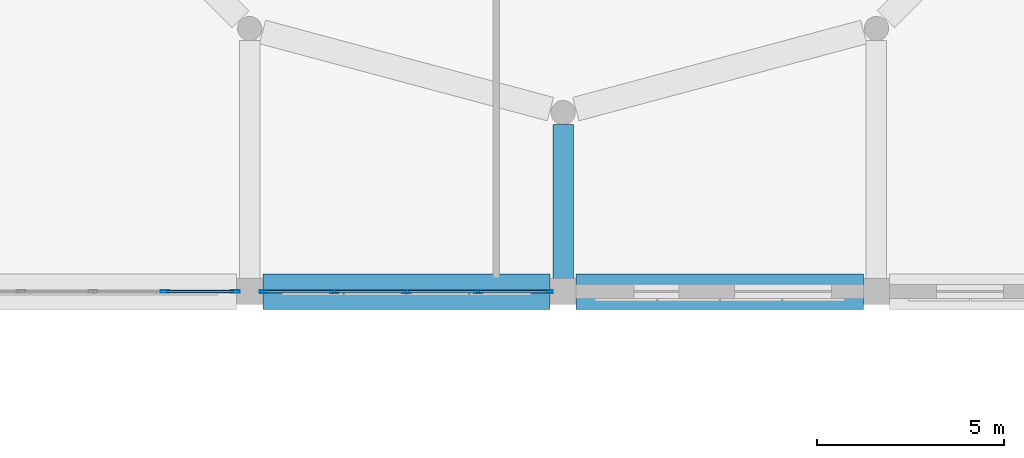
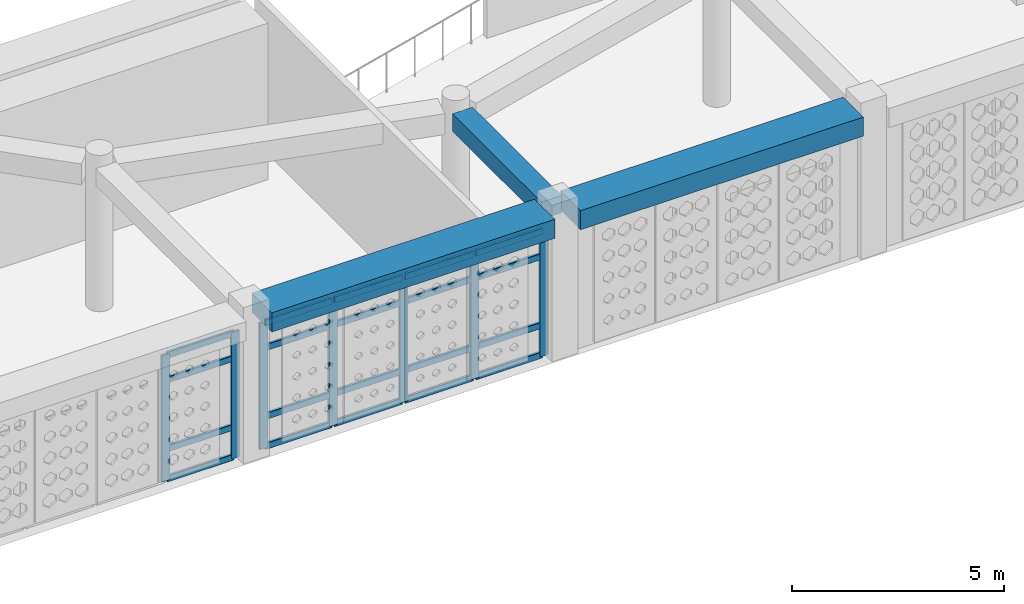
# One storey, part 15 of 79: 27 members, 3 beams, 2 elements without a shape of their own.
"""IFC4 building model written with IfcOpenShell, lengths in metres."""

from ifc_helpers import new_model, si_unit, derived_unit, direction, frame, origin, origin_2d, place, context, subcontext, project, spatial, rectangle, hollow_rectangle, extrude, material, material_profile, profile_set, type_object, element, aggregate, save


model = new_model("IFC4")

# Units and contexts
model_context = context("Model", 3, precision=1e-05, world=origin(), true_north=direction((0.0, 1.0)))
body_context = subcontext(model_context, "Body", "Model", "MODEL_VIEW")
ifc_project = project(units=[si_unit("LENGTHUNIT", "METRE"), si_unit("AREAUNIT", "SQUARE_METRE"), si_unit("VOLUMEUNIT", "CUBIC_METRE"), si_unit("PLANEANGLEUNIT", "RADIAN"), si_unit("MASSUNIT", "GRAM", prefix="KILO"), derived_unit("THERMALTRANSMITTANCEUNIT", [(si_unit("POWERUNIT", "WATT"), 1), (si_unit("LENGTHUNIT", "METRE"), -2), (si_unit("THERMODYNAMICTEMPERATUREUNIT", "KELVIN"), -1)])], contexts=[model_context])

# Site, building, storey
site_placement = place(None, origin())
site = spatial("IfcSite", under=ifc_project, at=site_placement, CompositionType="ELEMENT")
building_placement = place(site_placement, origin())
building = spatial("IfcBuilding", under=site, at=building_placement, Name="Veybourne Emporium", CompositionType="ELEMENT")
storey_placement = place(building_placement, frame((0.0, 0.0, 18.89990234375)))
storey = spatial("IfcBuildingStorey", under=building, at=storey_placement, Name="L04", CompositionType="ELEMENT", Elevation=18.89990234375)

# Curtain wall, members
ifc_material_1 = material(Name="Patinated Architectural Bronze", Category="bronze")
curtain_wall_type_1 = type_object("IfcCurtainWallType", Name="CWSystem_CWS-02", PredefinedType="NOTDEFINED", material=ifc_material_1)
curtain_wall_1_placement = place(storey_placement, origin())
curtain_wall_1 = element("IfcCurtainWall", 1, at=curtain_wall_1_placement, inside=storey, type_object=curtain_wall_type_1, Name="L04 bronze glazed curtain wall CWS-02 (033)", PredefinedType="NOTDEFINED")
ifc_material_profile_1 = material_profile(ifc_material_1, hollow_rectangle(XDim=0.074951171875, YDim=0.22998046875, WallThickness=0.0048828125, InnerFilletRadius=0.007568359375, OuterFilletRadius=0.012451171875, at=origin_2d()), Name="CWM 75x230x5")
ifc_profile_set_1 = profile_set([ifc_material_profile_1], Name="Patinated Architectural Bronze")
member_type_1 = type_object("IfcMemberType", Name="CWMullion_CW-M2", PredefinedType="MULLION", material=ifc_profile_set_1)
member_1_placement = place(storey_placement, frame((66.8125, 28.800048828125, 0.0), z_axis=(0.0, 0.0, 1.0), x_axis=(0.0, -1.0, 0.0)))
member_1 = element("IfcMember", 2, at=member_1_placement, type_object=member_type_1, Name="CWS-02 mullion 1", PredefinedType="MULLION", context=body_context, shape_type="SweptSolid", body=[
    extrude(hollow_rectangle(XDim=0.074951171875, YDim=0.22998046875, WallThickness=0.0048828125, InnerFilletRadius=0.007568359375, OuterFilletRadius=0.012451171875, at=origin_2d()), origin(), (0.0, 0.0, 1.0), 3.630126953125),
])
member_2_placement = place(storey_placement, frame((64.925048828125, 28.800048828125, 0.0), z_axis=(0.0, 0.0, 1.0), x_axis=(0.0, -1.0, 0.0)))
member_2 = element("IfcMember", 3, at=member_2_placement, type_object=member_type_1, Name="CWS-02 mullion 2", PredefinedType="MULLION", context=body_context, shape_type="SweptSolid", body=[
    extrude(hollow_rectangle(XDim=0.074951171875, YDim=0.22998046875, WallThickness=0.0048828125, InnerFilletRadius=0.007568359375, OuterFilletRadius=0.012451171875, at=origin_2d()), origin(), (0.0, 0.0, 1.0), 3.630126953125),
])

curtain_wall_type_2 = type_object("IfcCurtainWallType", Name="CWSystem_CWS-03", PredefinedType="NOTDEFINED", material=ifc_material_1)
curtain_wall_2_placement = place(storey_placement, origin())
curtain_wall_2 = element("IfcCurtainWall", 4, at=curtain_wall_2_placement, inside=storey, type_object=curtain_wall_type_2, Name="L04 bronze glazed curtain wall CWS-03 (036)", PredefinedType="NOTDEFINED")
ifc_material_profile_2 = material_profile(ifc_material_1, hollow_rectangle(XDim=0.077880859375, YDim=0.235107421875, WallThickness=0.0048828125, InnerFilletRadius=0.007568359375, OuterFilletRadius=0.012451171875, at=origin_2d()), Name="CWM 78x235x5")
ifc_profile_set_2 = profile_set([ifc_material_profile_2], Name="Patinated Architectural Bronze")
member_type_2 = type_object("IfcMemberType", Name="CWMullion_CW-M3", PredefinedType="MULLION", material=ifc_profile_set_2)
member_3_placement = place(storey_placement, frame((75.2109375, 28.800048828125, 0.0), z_axis=(0.0, 0.0, 1.0), x_axis=(0.0, -1.0, 0.0)))
member_3 = element("IfcMember", 5, at=member_3_placement, type_object=member_type_2, Name="CWS-03 mullion 1", PredefinedType="MULLION", context=body_context, shape_type="SweptSolid", body=[
    extrude(hollow_rectangle(XDim=0.077880859375, YDim=0.235107421875, WallThickness=0.0048828125, InnerFilletRadius=0.007568359375, OuterFilletRadius=0.012451171875, at=origin_2d()), origin(), (0.0, 0.0, 1.0), 3.630126953125),
])
member_4_placement = place(storey_placement, frame((73.324951171875, 28.800048828125, 0.0), z_axis=(0.0, 0.0, 1.0), x_axis=(0.0, -1.0, 0.0)))
member_4 = element("IfcMember", 6, at=member_4_placement, type_object=member_type_2, Name="CWS-03 mullion 2", PredefinedType="MULLION", context=body_context, shape_type="SweptSolid", body=[
    extrude(hollow_rectangle(XDim=0.077880859375, YDim=0.235107421875, WallThickness=0.0048828125, InnerFilletRadius=0.007568359375, OuterFilletRadius=0.012451171875, at=origin_2d()), origin(), (0.0, 0.0, 1.0), 3.630126953125),
])
member_5_placement = place(storey_placement, frame((71.39990234375, 28.800048828125, 0.0), z_axis=(0.0, 0.0, 1.0), x_axis=(0.0, -1.0, 0.0)))
member_5 = element("IfcMember", 7, at=member_5_placement, type_object=member_type_2, Name="CWS-03 mullion 3", PredefinedType="MULLION", context=body_context, shape_type="SweptSolid", body=[
    extrude(hollow_rectangle(XDim=0.077880859375, YDim=0.235107421875, WallThickness=0.0048828125, InnerFilletRadius=0.007568359375, OuterFilletRadius=0.012451171875, at=origin_2d()), origin(), (0.0, 0.0, 1.0), 3.630126953125),
])
member_6_placement = place(storey_placement, frame((69.47509765625, 28.800048828125, 0.0), z_axis=(0.0, 0.0, 1.0), x_axis=(0.0, -1.0, 0.0)))
member_6 = element("IfcMember", 8, at=member_6_placement, type_object=member_type_2, Name="CWS-03 mullion 4", PredefinedType="MULLION", context=body_context, shape_type="SweptSolid", body=[
    extrude(hollow_rectangle(XDim=0.077880859375, YDim=0.235107421875, WallThickness=0.0048828125, InnerFilletRadius=0.007568359375, OuterFilletRadius=0.012451171875, at=origin_2d()), origin(), (0.0, 0.0, 1.0), 3.630126953125),
])
member_7_placement = place(storey_placement, frame((67.589111328125, 28.800048828125, 0.0), z_axis=(0.0, 0.0, 1.0), x_axis=(0.0, -1.0, 0.0)))
member_7 = element("IfcMember", 9, at=member_7_placement, type_object=member_type_2, Name="CWS-03 mullion 5", PredefinedType="MULLION", context=body_context, shape_type="SweptSolid", body=[
    extrude(hollow_rectangle(XDim=0.077880859375, YDim=0.235107421875, WallThickness=0.0048828125, InnerFilletRadius=0.007568359375, OuterFilletRadius=0.012451171875, at=origin_2d()), origin(), (0.0, 0.0, 1.0), 3.630126953125),
])

# Member
ifc_material_profile_3 = material_profile(ifc_material_1, hollow_rectangle(XDim=0.074951171875, YDim=0.179931640625, WallThickness=0.0048828125, InnerFilletRadius=0.007568359375, OuterFilletRadius=0.012451171875, at=origin_2d()), Name="CWT 75x180x5")
ifc_profile_set_3 = profile_set([ifc_material_profile_3], Name="Patinated Architectural Bronze")
member_type_3 = type_object("IfcMemberType", Name="CWTransom_CW-T2", PredefinedType="NOTDEFINED", material=ifc_profile_set_3)
member_8_placement = place(storey_placement, frame((66.77490234375, 28.800048828125, 0.03759765625), z_axis=(-1.0, 0.0, 0.0), x_axis=(0.0, -1.0, 0.0)))
member_8 = element("IfcMember", 10, at=member_8_placement, type_object=member_type_3, Name="CWS-02 transom 1.1", ObjectType="TRANSOM", PredefinedType="USERDEFINED", context=body_context, shape_type="SweptSolid", body=[
    extrude(hollow_rectangle(XDim=0.074951171875, YDim=0.179931640625, WallThickness=0.0048828125, InnerFilletRadius=0.007568359375, OuterFilletRadius=0.012451171875, at=origin_2d()), origin(), (0.0, 0.0, 1.0), 1.8125),
])

member_9_placement = place(storey_placement, frame((66.77490234375, 28.800048828125, 0.900146484375), z_axis=(-1.0, 0.0, 0.0), x_axis=(0.0, -1.0, 0.0)))
member_9 = element("IfcMember", 11, at=member_9_placement, type_object=member_type_3, Name="CWS-02 transom 1.2", ObjectType="TRANSOM", PredefinedType="USERDEFINED", context=body_context, shape_type="SweptSolid", body=[
    extrude(hollow_rectangle(XDim=0.074951171875, YDim=0.179931640625, WallThickness=0.0048828125, InnerFilletRadius=0.007568359375, OuterFilletRadius=0.012451171875, at=origin_2d()), origin(), (0.0, 0.0, 1.0), 1.8125),
])

member_10_placement = place(storey_placement, frame((66.77490234375, 28.800048828125, 2.880126953125), z_axis=(-1.0, 0.0, 0.0), x_axis=(0.0, -1.0, 0.0)))
member_10 = element("IfcMember", 12, at=member_10_placement, type_object=member_type_3, Name="CWS-02 transom 1.3", ObjectType="TRANSOM", PredefinedType="USERDEFINED", context=body_context, shape_type="SweptSolid", body=[
    extrude(hollow_rectangle(XDim=0.074951171875, YDim=0.179931640625, WallThickness=0.0048828125, InnerFilletRadius=0.007568359375, OuterFilletRadius=0.012451171875, at=origin_2d()), origin(), (0.0, 0.0, 1.0), 1.8125),
])

member_11_placement = place(storey_placement, frame((66.77490234375, 28.800048828125, 3.592529296875), z_axis=(-1.0, 0.0, 0.0), x_axis=(0.0, -1.0, 0.0)))
member_11 = element("IfcMember", 13, at=member_11_placement, type_object=member_type_3, Name="CWS-02 transom 1.4", ObjectType="TRANSOM", PredefinedType="USERDEFINED", context=body_context, shape_type="SweptSolid", body=[
    extrude(hollow_rectangle(XDim=0.074951171875, YDim=0.179931640625, WallThickness=0.0048828125, InnerFilletRadius=0.007568359375, OuterFilletRadius=0.012451171875, at=origin_2d()), origin(), (0.0, 0.0, 1.0), 1.8125),
])

aggregate(curtain_wall_1, [member_1, member_2, member_8, member_9, member_10, member_11])

ifc_material_profile_4 = material_profile(ifc_material_1, hollow_rectangle(XDim=0.077880859375, YDim=0.18505859375, WallThickness=0.0048828125, InnerFilletRadius=0.007568359375, OuterFilletRadius=0.012451171875, at=origin_2d()), Name="CWT 78x185x5")
ifc_profile_set_4 = profile_set([ifc_material_profile_4], Name="Patinated Architectural Bronze")
member_type_4 = type_object("IfcMemberType", Name="CWTransom_CW-T3", PredefinedType="NOTDEFINED", material=ifc_profile_set_4)
member_12_placement = place(storey_placement, frame((75.172119140625, 28.800048828125, 0.0390625), z_axis=(-1.0, 0.0, 0.0), x_axis=(0.0, -1.0, 0.0)))
member_12 = element("IfcMember", 14, at=member_12_placement, type_object=member_type_4, Name="CWS-03 transom 1.1", ObjectType="TRANSOM", PredefinedType="USERDEFINED", context=body_context, shape_type="SweptSolid", body=[
    extrude(hollow_rectangle(XDim=0.077880859375, YDim=0.18505859375, WallThickness=0.0048828125, InnerFilletRadius=0.007568359375, OuterFilletRadius=0.012451171875, at=origin_2d()), origin(), (0.0, 0.0, 1.0), 1.80810546875),
])

member_13_placement = place(storey_placement, frame((75.172119140625, 28.800048828125, 0.900146484375), z_axis=(-1.0, 0.0, 0.0), x_axis=(0.0, -1.0, 0.0)))
member_13 = element("IfcMember", 15, at=member_13_placement, type_object=member_type_4, Name="CWS-03 transom 1.2", ObjectType="TRANSOM", PredefinedType="USERDEFINED", context=body_context, shape_type="SweptSolid", body=[
    extrude(hollow_rectangle(XDim=0.077880859375, YDim=0.18505859375, WallThickness=0.0048828125, InnerFilletRadius=0.007568359375, OuterFilletRadius=0.012451171875, at=origin_2d()), origin(), (0.0, 0.0, 1.0), 1.80810546875),
])

member_14_placement = place(storey_placement, frame((75.172119140625, 28.800048828125, 2.880126953125), z_axis=(-1.0, 0.0, 0.0), x_axis=(0.0, -1.0, 0.0)))
member_14 = element("IfcMember", 16, at=member_14_placement, type_object=member_type_4, Name="CWS-03 transom 1.3", ObjectType="TRANSOM", PredefinedType="USERDEFINED", context=body_context, shape_type="SweptSolid", body=[
    extrude(hollow_rectangle(XDim=0.077880859375, YDim=0.18505859375, WallThickness=0.0048828125, InnerFilletRadius=0.007568359375, OuterFilletRadius=0.012451171875, at=origin_2d()), origin(), (0.0, 0.0, 1.0), 1.80810546875),
])

member_15_placement = place(storey_placement, frame((75.172119140625, 28.800048828125, 3.591064453125), z_axis=(-1.0, 0.0, 0.0), x_axis=(0.0, -1.0, 0.0)))
member_15 = element("IfcMember", 17, at=member_15_placement, type_object=member_type_4, Name="CWS-03 transom 1.4", ObjectType="TRANSOM", PredefinedType="USERDEFINED", context=body_context, shape_type="SweptSolid", body=[
    extrude(hollow_rectangle(XDim=0.077880859375, YDim=0.18505859375, WallThickness=0.0048828125, InnerFilletRadius=0.007568359375, OuterFilletRadius=0.012451171875, at=origin_2d()), origin(), (0.0, 0.0, 1.0), 1.80810546875),
])

member_16_placement = place(storey_placement, frame((73.285888671875, 28.800048828125, 0.0390625), z_axis=(-1.0, 0.0, 0.0), x_axis=(0.0, -1.0, 0.0)))
member_16 = element("IfcMember", 18, at=member_16_placement, type_object=member_type_4, Name="CWS-03 transom 2.1", ObjectType="TRANSOM", PredefinedType="USERDEFINED", context=body_context, shape_type="SweptSolid", body=[
    extrude(hollow_rectangle(XDim=0.077880859375, YDim=0.18505859375, WallThickness=0.0048828125, InnerFilletRadius=0.007568359375, OuterFilletRadius=0.012451171875, at=origin_2d()), origin(), (0.0, 0.0, 1.0), 1.846923828125),
])

member_17_placement = place(storey_placement, frame((73.285888671875, 28.800048828125, 0.900146484375), z_axis=(-1.0, 0.0, 0.0), x_axis=(0.0, -1.0, 0.0)))
member_17 = element("IfcMember", 19, at=member_17_placement, type_object=member_type_4, Name="CWS-03 transom 2.2", ObjectType="TRANSOM", PredefinedType="USERDEFINED", context=body_context, shape_type="SweptSolid", body=[
    extrude(hollow_rectangle(XDim=0.077880859375, YDim=0.18505859375, WallThickness=0.0048828125, InnerFilletRadius=0.007568359375, OuterFilletRadius=0.012451171875, at=origin_2d()), origin(), (0.0, 0.0, 1.0), 1.846923828125),
])

member_18_placement = place(storey_placement, frame((73.285888671875, 28.800048828125, 2.880126953125), z_axis=(-1.0, 0.0, 0.0), x_axis=(0.0, -1.0, 0.0)))
member_18 = element("IfcMember", 20, at=member_18_placement, type_object=member_type_4, Name="CWS-03 transom 2.3", ObjectType="TRANSOM", PredefinedType="USERDEFINED", context=body_context, shape_type="SweptSolid", body=[
    extrude(hollow_rectangle(XDim=0.077880859375, YDim=0.18505859375, WallThickness=0.0048828125, InnerFilletRadius=0.007568359375, OuterFilletRadius=0.012451171875, at=origin_2d()), origin(), (0.0, 0.0, 1.0), 1.846923828125),
])

member_19_placement = place(storey_placement, frame((73.285888671875, 28.800048828125, 3.591064453125), z_axis=(-1.0, 0.0, 0.0), x_axis=(0.0, -1.0, 0.0)))
member_19 = element("IfcMember", 21, at=member_19_placement, type_object=member_type_4, Name="CWS-03 transom 2.4", ObjectType="TRANSOM", PredefinedType="USERDEFINED", context=body_context, shape_type="SweptSolid", body=[
    extrude(hollow_rectangle(XDim=0.077880859375, YDim=0.18505859375, WallThickness=0.0048828125, InnerFilletRadius=0.007568359375, OuterFilletRadius=0.012451171875, at=origin_2d()), origin(), (0.0, 0.0, 1.0), 1.846923828125),
])

member_20_placement = place(storey_placement, frame((71.361083984375, 28.800048828125, 0.0390625), z_axis=(-1.0, 0.0, 0.0), x_axis=(0.0, -1.0, 0.0)))
member_20 = element("IfcMember", 22, at=member_20_placement, type_object=member_type_4, Name="CWS-03 transom 3.1", ObjectType="TRANSOM", PredefinedType="USERDEFINED", context=body_context, shape_type="SweptSolid", body=[
    extrude(hollow_rectangle(XDim=0.077880859375, YDim=0.18505859375, WallThickness=0.0048828125, InnerFilletRadius=0.007568359375, OuterFilletRadius=0.012451171875, at=origin_2d()), origin(), (0.0, 0.0, 1.0), 1.84716796875),
])

member_21_placement = place(storey_placement, frame((71.361083984375, 28.800048828125, 0.900146484375), z_axis=(-1.0, 0.0, 0.0), x_axis=(0.0, -1.0, 0.0)))
member_21 = element("IfcMember", 23, at=member_21_placement, type_object=member_type_4, Name="CWS-03 transom 3.2", ObjectType="TRANSOM", PredefinedType="USERDEFINED", context=body_context, shape_type="SweptSolid", body=[
    extrude(hollow_rectangle(XDim=0.077880859375, YDim=0.18505859375, WallThickness=0.0048828125, InnerFilletRadius=0.007568359375, OuterFilletRadius=0.012451171875, at=origin_2d()), origin(), (0.0, 0.0, 1.0), 1.84716796875),
])

member_22_placement = place(storey_placement, frame((71.361083984375, 28.800048828125, 2.880126953125), z_axis=(-1.0, 0.0, 0.0), x_axis=(0.0, -1.0, 0.0)))
member_22 = element("IfcMember", 24, at=member_22_placement, type_object=member_type_4, Name="CWS-03 transom 3.3", ObjectType="TRANSOM", PredefinedType="USERDEFINED", context=body_context, shape_type="SweptSolid", body=[
    extrude(hollow_rectangle(XDim=0.077880859375, YDim=0.18505859375, WallThickness=0.0048828125, InnerFilletRadius=0.007568359375, OuterFilletRadius=0.012451171875, at=origin_2d()), origin(), (0.0, 0.0, 1.0), 1.84716796875),
])

member_23_placement = place(storey_placement, frame((71.361083984375, 28.800048828125, 3.591064453125), z_axis=(-1.0, 0.0, 0.0), x_axis=(0.0, -1.0, 0.0)))
member_23 = element("IfcMember", 25, at=member_23_placement, type_object=member_type_4, Name="CWS-03 transom 3.4", ObjectType="TRANSOM", PredefinedType="USERDEFINED", context=body_context, shape_type="SweptSolid", body=[
    extrude(hollow_rectangle(XDim=0.077880859375, YDim=0.18505859375, WallThickness=0.0048828125, InnerFilletRadius=0.007568359375, OuterFilletRadius=0.012451171875, at=origin_2d()), origin(), (0.0, 0.0, 1.0), 1.84716796875),
])

member_24_placement = place(storey_placement, frame((69.43603515625, 28.800048828125, 0.0390625), z_axis=(-1.0, 0.0, 0.0), x_axis=(0.0, -1.0, 0.0)))
member_24 = element("IfcMember", 26, at=member_24_placement, type_object=member_type_4, Name="CWS-03 transom 4.1", ObjectType="TRANSOM", PredefinedType="USERDEFINED", context=body_context, shape_type="SweptSolid", body=[
    extrude(hollow_rectangle(XDim=0.077880859375, YDim=0.18505859375, WallThickness=0.0048828125, InnerFilletRadius=0.007568359375, OuterFilletRadius=0.012451171875, at=origin_2d()), origin(), (0.0, 0.0, 1.0), 1.80810546875),
])

member_25_placement = place(storey_placement, frame((69.43603515625, 28.800048828125, 0.900146484375), z_axis=(-1.0, 0.0, 0.0), x_axis=(0.0, -1.0, 0.0)))
member_25 = element("IfcMember", 27, at=member_25_placement, type_object=member_type_4, Name="CWS-03 transom 4.2", ObjectType="TRANSOM", PredefinedType="USERDEFINED", context=body_context, shape_type="SweptSolid", body=[
    extrude(hollow_rectangle(XDim=0.077880859375, YDim=0.18505859375, WallThickness=0.0048828125, InnerFilletRadius=0.007568359375, OuterFilletRadius=0.012451171875, at=origin_2d()), origin(), (0.0, 0.0, 1.0), 1.80810546875),
])

member_26_placement = place(storey_placement, frame((69.43603515625, 28.800048828125, 2.880126953125), z_axis=(-1.0, 0.0, 0.0), x_axis=(0.0, -1.0, 0.0)))
member_26 = element("IfcMember", 28, at=member_26_placement, type_object=member_type_4, Name="CWS-03 transom 4.3", ObjectType="TRANSOM", PredefinedType="USERDEFINED", context=body_context, shape_type="SweptSolid", body=[
    extrude(hollow_rectangle(XDim=0.077880859375, YDim=0.18505859375, WallThickness=0.0048828125, InnerFilletRadius=0.007568359375, OuterFilletRadius=0.012451171875, at=origin_2d()), origin(), (0.0, 0.0, 1.0), 1.80810546875),
])

member_27_placement = place(storey_placement, frame((69.43603515625, 28.800048828125, 3.591064453125), z_axis=(-1.0, 0.0, 0.0), x_axis=(0.0, -1.0, 0.0)))
member_27 = element("IfcMember", 29, at=member_27_placement, type_object=member_type_4, Name="CWS-03 transom 4.4", ObjectType="TRANSOM", PredefinedType="USERDEFINED", context=body_context, shape_type="SweptSolid", body=[
    extrude(hollow_rectangle(XDim=0.077880859375, YDim=0.18505859375, WallThickness=0.0048828125, InnerFilletRadius=0.007568359375, OuterFilletRadius=0.012451171875, at=origin_2d()), origin(), (0.0, 0.0, 1.0), 1.80810546875),
])

aggregate(curtain_wall_2, [member_3, member_4, member_5, member_6, member_7, member_12, member_13, member_14, member_15, member_16, member_17, member_18, member_19, member_20, member_21, member_22, member_23, member_24, member_25, member_26, member_27])

# Beams
ifc_material_2 = material(Name="Concrete C32/40", Category="concrete")
ifc_material_profile_5 = material_profile(ifc_material_2, rectangle(XDim=0.949951171875, YDim=0.550048828125, at=origin_2d()), Name="RC 950x550")
ifc_profile_set_5 = profile_set([ifc_material_profile_5], Name="Concrete C32/40")
beam_type_1 = type_object("IfcBeamType", Name="RCBeam_EB-01", PredefinedType="SPANDREL", material=ifc_profile_set_5)
for number, where, z_axis, x_axis, name in (
    (30, (67.550048828125, 28.800048828125, 3.905029296875), (1.0, 0.0, 0.0), (0.0, 1.0, 0.0), "L04 X-grid beam EB-01 (8,4)"),
    (31, (75.949951171875, 28.800048828125, 3.905029296875), (1.0, 0.0, 0.0), (0.0, 1.0, 0.0), "L04 X-grid beam EB-01 (9,4)"),
):
    element("IfcBeam", number, at=place(storey_placement, frame(where, z_axis=z_axis, x_axis=x_axis)), inside=storey, type_object=beam_type_1, Name=name, PredefinedType="SPANDREL", context=body_context, shape_type="SweptSolid", body=[
        extrude(rectangle(XDim=0.949951171875, YDim=0.550048828125, at=origin_2d()), origin(), (0.0, 0.0, 1.0), 7.699951171875),
    ])
ifc_material_profile_6 = material_profile(ifc_material_2, rectangle(XDim=0.550048828125, YDim=0.5, at=origin_2d()), Name="RC 550x500")
ifc_profile_set_6 = profile_set([ifc_material_profile_6], Name="Concrete C32/40")
beam_type_2 = type_object("IfcBeamType", Name="RCBeam_TB-01", PredefinedType="BEAM", material=ifc_profile_set_6)
beam_placement = place(storey_placement, frame((75.60009765625, 33.284912109375, 3.93017578125), z_axis=(0.0, -1.0, 0.0), x_axis=(1.0, 0.0, 0.0)))
element("IfcBeam", 32, at=beam_placement, inside=storey, type_object=beam_type_2, Name="Atrium radial tie beam L04-10", PredefinedType="BEAM", context=body_context, shape_type="SweptSolid", body=[
    extrude(rectangle(XDim=0.550048828125, YDim=0.5, at=origin_2d()), origin(), (0.0, 0.0, 1.0), 4.19482421875),
])

save(model, "model.ifc")
